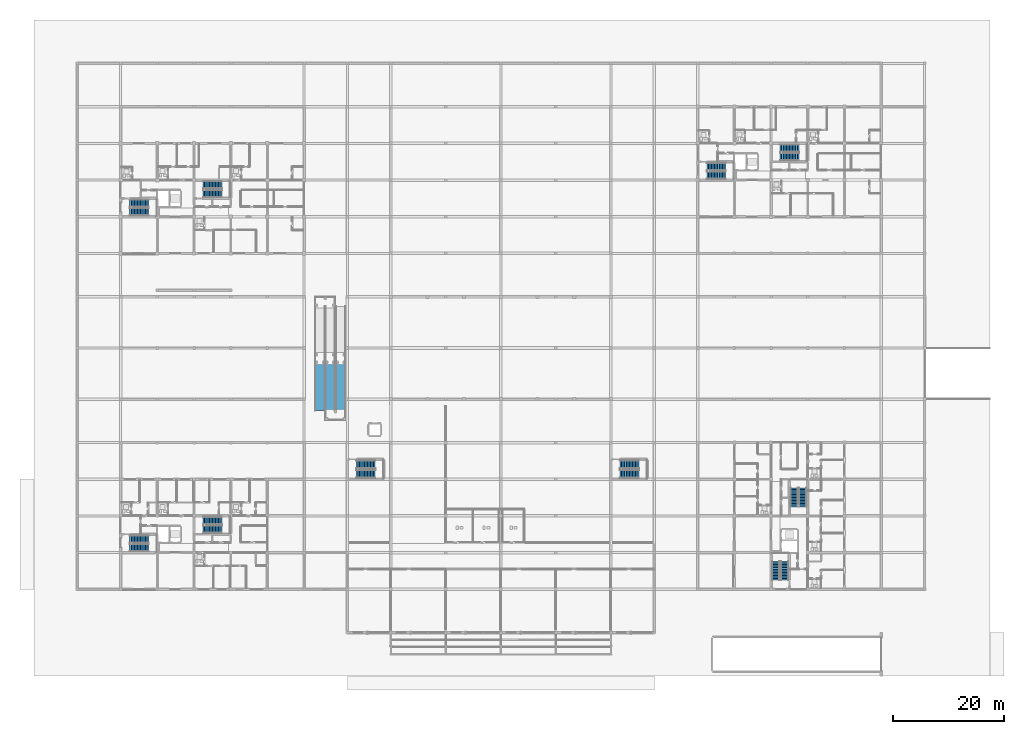
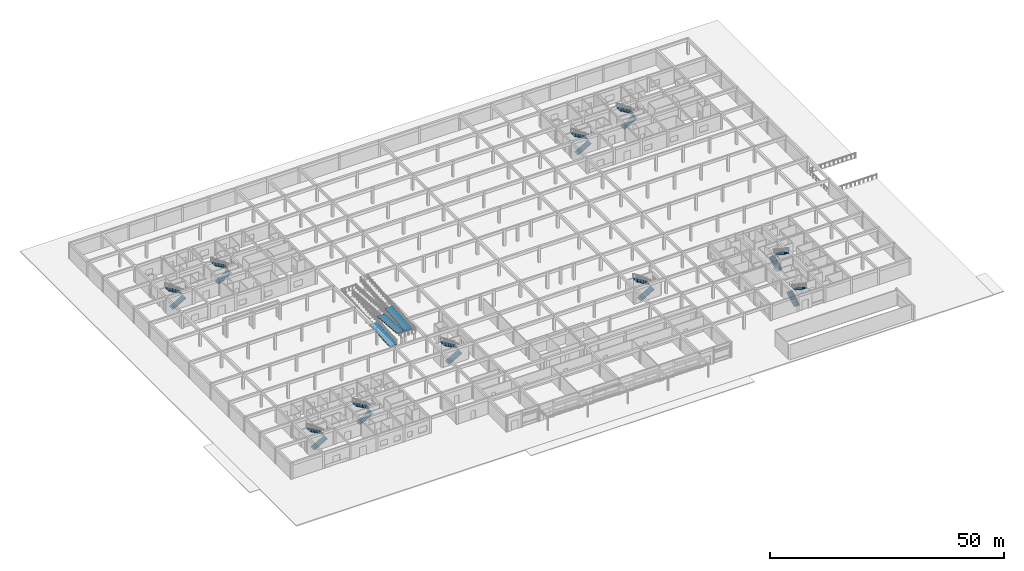
# One storey, part 63 of 75: 20 stair flights, 3 ramp flights, 11 elements without a shape of their own.
"""IFC4 building model written with IfcOpenShell, lengths in metres."""

from ifc_helpers import new_model, si_unit, direction, frame, origin, place, context, subcontext, project, spatial, polyline, outline, extrude, material, layer, layer_set, type_object, element, aggregate, save


model = new_model("IFC4")

# Units and contexts
model_context = context("Model", 3, precision=1e-05, world=origin(), true_north=direction((0.0, 1.0)))
body_context = subcontext(model_context, "Body", "Model", "MODEL_VIEW")
ifc_project = project(units=[si_unit("LENGTHUNIT", "METRE"), si_unit("AREAUNIT", "SQUARE_METRE"), si_unit("VOLUMEUNIT", "CUBIC_METRE"), si_unit("PLANEANGLEUNIT", "RADIAN"), si_unit("MASSUNIT", "GRAM", prefix="KILO")], contexts=[model_context])

# Site, building, storey
site_placement = place(None, origin())
site = spatial("IfcSite", under=ifc_project, at=site_placement, CompositionType="ELEMENT")
building_placement = place(site_placement, origin())
building = spatial("IfcBuilding", under=site, at=building_placement, Name="Kernevlak Ridge Housing Community", CompositionType="ELEMENT")
storey_placement = place(building_placement, origin())
storey = spatial("IfcBuildingStorey", under=building, at=storey_placement, Name="L00", CompositionType="ELEMENT", Elevation=0.0)

# Stair, stair flights
ifc_material = material(Name="Concrete C35/45", Category="concrete")
stair_type_1 = type_object("IfcStairType", Name="SR-02", PredefinedType="HALF_TURN_STAIR", material=ifc_material)
stair_1_placement = place(storey_placement, origin())
stair_1 = element("IfcStair", 1, at=stair_1_placement, inside=storey, type_object=stair_type_1, Name="Stair ST-A1 L00", PredefinedType="HALF_TURN_STAIR")
stair_flight_type_1 = type_object("IfcStairFlightType", Name="SF-02", PredefinedType="STRAIGHT", material=ifc_material)
stair_flight_1_placement = place(storey_placement, frame((17.239990234375, 83.4599609375, 0.0), z_axis=(0.0, 0.0, 1.0), x_axis=(1.0, 0.0, 0.0)))
stair_flight_1 = element("IfcStairFlight", 2, at=stair_flight_1_placement, type_object=stair_flight_type_1, Name="SR-02 flight 1", NumberOfRisers=13, NumberOfTreads=12, PredefinedType="STRAIGHT", RiserHeight=0.161538462, TreadLength=0.28, context=body_context, shape_type="SweptSolid", body=[
    extrude(outline(polyline([(0.0, 0.0), (0.0, 0.16162109375), (0.280029296875, 0.16162109375), (0.280029296875, 0.322998046875), (0.56005859375, 0.322998046875), (0.56005859375, 0.484619140625), (0.840087890625, 0.484619140625), (0.840087890625, 0.646240234375), (1.1201171875, 0.646240234375), (1.1201171875, 0.8076171875), (1.39990234375, 0.8076171875), (1.39990234375, 0.96923828125), (1.679931640625, 0.96923828125), (1.679931640625, 1.130859375), (1.9599609375, 1.130859375), (1.9599609375, 1.292236328125), (2.239990234375, 1.292236328125), (2.239990234375, 1.453857421875), (2.52001953125, 1.453857421875), (2.52001953125, 1.615478515625), (2.800048828125, 1.615478515625), (2.800048828125, 1.77685546875), (3.080078125, 1.77685546875), (3.080078125, 1.9384765625), (3.360107421875, 1.9384765625), (3.360107421875, 2.10009765625), (3.360107421875, 1.7421875), (0.340087890625, 0.0), (0.0, 0.0)])), frame((0.0, 0.699951171875, 0.0), z_axis=(0.0, -1.0, 0.0), x_axis=(1.0, 0.0, 0.0)), (0.0, 0.0, 1.0), 1.39990234375),
])
stair_flight_2_placement = place(storey_placement, frame((20.60009765625, 85.0400390625, 2.10009765625), z_axis=(0.0, 0.0, 1.0), x_axis=(-1.0, 0.0, 0.0)))
stair_flight_2 = element("IfcStairFlight", 3, at=stair_flight_2_placement, type_object=stair_flight_type_1, Name="SR-02 flight 2", NumberOfRisers=13, NumberOfTreads=12, PredefinedType="STRAIGHT", RiserHeight=0.161538462, TreadLength=0.28, context=body_context, shape_type="SweptSolid", body=[
    extrude(outline(polyline([(0.0, 0.0), (0.0, 0.16162109375), (0.280029296875, 0.16162109375), (0.280029296875, 0.322998046875), (0.56005859375, 0.322998046875), (0.56005859375, 0.484619140625), (0.840087890625, 0.484619140625), (0.840087890625, 0.646240234375), (1.1201171875, 0.646240234375), (1.1201171875, 0.8076171875), (1.39990234375, 0.8076171875), (1.39990234375, 0.96923828125), (1.679931640625, 0.96923828125), (1.679931640625, 1.130859375), (1.9599609375, 1.130859375), (1.9599609375, 1.292236328125), (2.239990234375, 1.292236328125), (2.239990234375, 1.453857421875), (2.52001953125, 1.453857421875), (2.52001953125, 1.615478515625), (2.800048828125, 1.615478515625), (2.800048828125, 1.77685546875), (3.080078125, 1.77685546875), (3.080078125, 1.9384765625), (3.360107421875, 1.9384765625), (3.360107421875, 2.10009765625), (3.360107421875, 1.7421875), (0.340087890625, 0.0), (0.0, 0.0)])), frame((0.0, 0.699951171875, 0.0), z_axis=(0.0, -1.0, 0.0), x_axis=(1.0, 0.0, 0.0)), (0.0, 0.0, 1.0), 1.39990234375),
])
aggregate(stair_1, [stair_flight_1, stair_flight_2])

stair_2_placement = place(storey_placement, origin())
stair_2 = element("IfcStair", 4, at=stair_2_placement, inside=storey, type_object=stair_type_1, Name="Stair ST-A2 L00", PredefinedType="HALF_TURN_STAIR")
stair_flight_3_placement = place(storey_placement, frame((30.43994140625, 86.760009765625, 0.0), z_axis=(0.0, 0.0, 1.0), x_axis=(1.0, 0.0, 0.0)))
stair_flight_3 = element("IfcStairFlight", 5, at=stair_flight_3_placement, type_object=stair_flight_type_1, Name="SR-02 flight 1", NumberOfRisers=13, NumberOfTreads=12, PredefinedType="STRAIGHT", RiserHeight=0.161538462, TreadLength=0.28, context=body_context, shape_type="SweptSolid", body=[
    extrude(outline(polyline([(0.0, 0.0), (0.0, 0.16162109375), (0.280029296875, 0.16162109375), (0.280029296875, 0.322998046875), (0.56005859375, 0.322998046875), (0.56005859375, 0.484619140625), (0.840087890625, 0.484619140625), (0.840087890625, 0.646240234375), (1.1201171875, 0.646240234375), (1.1201171875, 0.8076171875), (1.39990234375, 0.8076171875), (1.39990234375, 0.96923828125), (1.679931640625, 0.96923828125), (1.679931640625, 1.130859375), (1.9599609375, 1.130859375), (1.9599609375, 1.292236328125), (2.239990234375, 1.292236328125), (2.239990234375, 1.453857421875), (2.52001953125, 1.453857421875), (2.52001953125, 1.615478515625), (2.800048828125, 1.615478515625), (2.800048828125, 1.77685546875), (3.080078125, 1.77685546875), (3.080078125, 1.9384765625), (3.360107421875, 1.9384765625), (3.360107421875, 2.10009765625), (3.360107421875, 1.7421875), (0.340087890625, 0.0), (0.0, 0.0)])), frame((0.0, 0.699951171875, 0.0), z_axis=(0.0, -1.0, 0.0), x_axis=(1.0, 0.0, 0.0)), (0.0, 0.0, 1.0), 1.39990234375),
])
stair_flight_4_placement = place(storey_placement, frame((33.800048828125, 88.340087890625, 2.10009765625), z_axis=(0.0, 0.0, 1.0), x_axis=(-1.0, 0.0, 0.0)))
stair_flight_4 = element("IfcStairFlight", 6, at=stair_flight_4_placement, type_object=stair_flight_type_1, Name="SR-02 flight 2", NumberOfRisers=13, NumberOfTreads=12, PredefinedType="STRAIGHT", RiserHeight=0.161538462, TreadLength=0.28, context=body_context, shape_type="SweptSolid", body=[
    extrude(outline(polyline([(0.0, 0.0), (0.0, 0.16162109375), (0.280029296875, 0.16162109375), (0.280029296875, 0.322998046875), (0.56005859375, 0.322998046875), (0.56005859375, 0.484619140625), (0.840087890625, 0.484619140625), (0.840087890625, 0.646240234375), (1.1201171875, 0.646240234375), (1.1201171875, 0.8076171875), (1.39990234375, 0.8076171875), (1.39990234375, 0.96923828125), (1.679931640625, 0.96923828125), (1.679931640625, 1.130859375), (1.9599609375, 1.130859375), (1.9599609375, 1.292236328125), (2.239990234375, 1.292236328125), (2.239990234375, 1.453857421875), (2.52001953125, 1.453857421875), (2.52001953125, 1.615478515625), (2.800048828125, 1.615478515625), (2.800048828125, 1.77685546875), (3.080078125, 1.77685546875), (3.080078125, 1.9384765625), (3.360107421875, 1.9384765625), (3.360107421875, 2.10009765625), (3.360107421875, 1.7421875), (0.340087890625, 0.0), (0.0, 0.0)])), frame((0.0, 0.699951171875, 0.0), z_axis=(0.0, -1.0, 0.0), x_axis=(1.0, 0.0, 0.0)), (0.0, 0.0, 1.0), 1.39990234375),
])
aggregate(stair_2, [stair_flight_3, stair_flight_4])

stair_3_placement = place(storey_placement, origin())
stair_3 = element("IfcStair", 7, at=stair_3_placement, inside=storey, type_object=stair_type_1, Name="Stair ST-B1 L00", PredefinedType="HALF_TURN_STAIR")
stair_flight_5_placement = place(storey_placement, frame((121.0400390625, 90.06005859375, 0.0), z_axis=(0.0, 0.0, 1.0), x_axis=(1.0, 0.0, 0.0)))
stair_flight_5 = element("IfcStairFlight", 8, at=stair_flight_5_placement, type_object=stair_flight_type_1, Name="SR-02 flight 1", NumberOfRisers=13, NumberOfTreads=12, PredefinedType="STRAIGHT", RiserHeight=0.161538462, TreadLength=0.28, context=body_context, shape_type="SweptSolid", body=[
    extrude(outline(polyline([(0.0, 0.0), (0.0, 0.16162109375), (0.280029296875, 0.16162109375), (0.280029296875, 0.322998046875), (0.56005859375, 0.322998046875), (0.56005859375, 0.484619140625), (0.840087890625, 0.484619140625), (0.840087890625, 0.646240234375), (1.1201171875, 0.646240234375), (1.1201171875, 0.8076171875), (1.39990234375, 0.8076171875), (1.39990234375, 0.96923828125), (1.679931640625, 0.96923828125), (1.679931640625, 1.130859375), (1.9599609375, 1.130859375), (1.9599609375, 1.292236328125), (2.239990234375, 1.292236328125), (2.239990234375, 1.453857421875), (2.52001953125, 1.453857421875), (2.52001953125, 1.615478515625), (2.800048828125, 1.615478515625), (2.800048828125, 1.77685546875), (3.080078125, 1.77685546875), (3.080078125, 1.9384765625), (3.360107421875, 1.9384765625), (3.360107421875, 2.10009765625), (3.360107421875, 1.7421875), (0.340087890625, 0.0), (0.0, 0.0)])), frame((0.0, 0.699951171875, 0.0), z_axis=(0.0, -1.0, 0.0), x_axis=(1.0, 0.0, 0.0)), (0.0, 0.0, 1.0), 1.39990234375),
])
stair_flight_6_placement = place(storey_placement, frame((124.39990234375, 91.639892578125, 2.10009765625), z_axis=(0.0, 0.0, 1.0), x_axis=(-1.0, 0.0, 0.0)))
stair_flight_6 = element("IfcStairFlight", 9, at=stair_flight_6_placement, type_object=stair_flight_type_1, Name="SR-02 flight 2", NumberOfRisers=13, NumberOfTreads=12, PredefinedType="STRAIGHT", RiserHeight=0.161538462, TreadLength=0.28, context=body_context, shape_type="SweptSolid", body=[
    extrude(outline(polyline([(0.0, 0.0), (0.0, 0.16162109375), (0.280029296875, 0.16162109375), (0.280029296875, 0.322998046875), (0.56005859375, 0.322998046875), (0.56005859375, 0.484619140625), (0.840087890625, 0.484619140625), (0.840087890625, 0.646240234375), (1.1201171875, 0.646240234375), (1.1201171875, 0.8076171875), (1.39990234375, 0.8076171875), (1.39990234375, 0.96923828125), (1.679931640625, 0.96923828125), (1.679931640625, 1.130859375), (1.9599609375, 1.130859375), (1.9599609375, 1.292236328125), (2.239990234375, 1.292236328125), (2.239990234375, 1.453857421875), (2.52001953125, 1.453857421875), (2.52001953125, 1.615478515625), (2.800048828125, 1.615478515625), (2.800048828125, 1.77685546875), (3.080078125, 1.77685546875), (3.080078125, 1.9384765625), (3.360107421875, 1.9384765625), (3.360107421875, 2.10009765625), (3.360107421875, 1.7421875), (0.340087890625, 0.0), (0.0, 0.0)])), frame((0.0, 0.699951171875, 0.0), z_axis=(0.0, -1.0, 0.0), x_axis=(1.0, 0.0, 0.0)), (0.0, 0.0, 1.0), 1.39990234375),
])
aggregate(stair_3, [stair_flight_5, stair_flight_6])

stair_4_placement = place(storey_placement, origin())
stair_4 = element("IfcStair", 10, at=stair_4_placement, inside=storey, type_object=stair_type_1, Name="Stair ST-B2 L00", PredefinedType="HALF_TURN_STAIR")
stair_flight_7_placement = place(storey_placement, frame((134.239990234375, 93.360107421875, 0.0), z_axis=(0.0, 0.0, 1.0), x_axis=(1.0, 0.0, 0.0)))
stair_flight_7 = element("IfcStairFlight", 11, at=stair_flight_7_placement, type_object=stair_flight_type_1, Name="SR-02 flight 1", NumberOfRisers=13, NumberOfTreads=12, PredefinedType="STRAIGHT", RiserHeight=0.161538462, TreadLength=0.28, context=body_context, shape_type="SweptSolid", body=[
    extrude(outline(polyline([(0.0, 0.0), (0.0, 0.16162109375), (0.280029296875, 0.16162109375), (0.280029296875, 0.322998046875), (0.56005859375, 0.322998046875), (0.56005859375, 0.484619140625), (0.840087890625, 0.484619140625), (0.840087890625, 0.646240234375), (1.1201171875, 0.646240234375), (1.1201171875, 0.8076171875), (1.39990234375, 0.8076171875), (1.39990234375, 0.96923828125), (1.679931640625, 0.96923828125), (1.679931640625, 1.130859375), (1.9599609375, 1.130859375), (1.9599609375, 1.292236328125), (2.239990234375, 1.292236328125), (2.239990234375, 1.453857421875), (2.52001953125, 1.453857421875), (2.52001953125, 1.615478515625), (2.800048828125, 1.615478515625), (2.800048828125, 1.77685546875), (3.080078125, 1.77685546875), (3.080078125, 1.9384765625), (3.360107421875, 1.9384765625), (3.360107421875, 2.10009765625), (3.360107421875, 1.7421875), (0.340087890625, 0.0), (0.0, 0.0)])), frame((0.0, 0.699951171875, 0.0), z_axis=(0.0, -1.0, 0.0), x_axis=(1.0, 0.0, 0.0)), (0.0, 0.0, 1.0), 1.39990234375),
])
stair_flight_8_placement = place(storey_placement, frame((137.60009765625, 94.93994140625, 2.10009765625), z_axis=(0.0, 0.0, 1.0), x_axis=(-1.0, 0.0, 0.0)))
stair_flight_8 = element("IfcStairFlight", 12, at=stair_flight_8_placement, type_object=stair_flight_type_1, Name="SR-02 flight 2", NumberOfRisers=13, NumberOfTreads=12, PredefinedType="STRAIGHT", RiserHeight=0.161538462, TreadLength=0.28, context=body_context, shape_type="SweptSolid", body=[
    extrude(outline(polyline([(0.0, 0.0), (0.0, 0.16162109375), (0.280029296875, 0.16162109375), (0.280029296875, 0.322998046875), (0.56005859375, 0.322998046875), (0.56005859375, 0.484619140625), (0.840087890625, 0.484619140625), (0.840087890625, 0.646240234375), (1.1201171875, 0.646240234375), (1.1201171875, 0.8076171875), (1.39990234375, 0.8076171875), (1.39990234375, 0.96923828125), (1.679931640625, 0.96923828125), (1.679931640625, 1.130859375), (1.9599609375, 1.130859375), (1.9599609375, 1.292236328125), (2.239990234375, 1.292236328125), (2.239990234375, 1.453857421875), (2.52001953125, 1.453857421875), (2.52001953125, 1.615478515625), (2.800048828125, 1.615478515625), (2.800048828125, 1.77685546875), (3.080078125, 1.77685546875), (3.080078125, 1.9384765625), (3.360107421875, 1.9384765625), (3.360107421875, 2.10009765625), (3.360107421875, 1.7421875), (0.340087890625, 0.0), (0.0, 0.0)])), frame((0.0, 0.699951171875, 0.0), z_axis=(0.0, -1.0, 0.0), x_axis=(1.0, 0.0, 0.0)), (0.0, 0.0, 1.0), 1.39990234375),
])
aggregate(stair_4, [stair_flight_7, stair_flight_8])

stair_5_placement = place(storey_placement, origin())
stair_5 = element("IfcStair", 13, at=stair_5_placement, inside=storey, type_object=stair_type_1, Name="Stair ST-C1 L00", PredefinedType="HALF_TURN_STAIR")
stair_flight_9_placement = place(storey_placement, frame((133.4599609375, 17.239990234375, 0.0), z_axis=(0.0, 0.0, 1.0), x_axis=(0.0, 1.0, 0.0)))
stair_flight_9 = element("IfcStairFlight", 14, at=stair_flight_9_placement, type_object=stair_flight_type_1, Name="SR-02 flight 1", NumberOfRisers=13, NumberOfTreads=12, PredefinedType="STRAIGHT", RiserHeight=0.161538462, TreadLength=0.28, context=body_context, shape_type="SweptSolid", body=[
    extrude(outline(polyline([(0.0, 0.0), (0.0, 0.16162109375), (0.280029296875, 0.16162109375), (0.280029296875, 0.322998046875), (0.56005859375, 0.322998046875), (0.56005859375, 0.484619140625), (0.840087890625, 0.484619140625), (0.840087890625, 0.646240234375), (1.1201171875, 0.646240234375), (1.1201171875, 0.8076171875), (1.39990234375, 0.8076171875), (1.39990234375, 0.96923828125), (1.679931640625, 0.96923828125), (1.679931640625, 1.130859375), (1.9599609375, 1.130859375), (1.9599609375, 1.292236328125), (2.239990234375, 1.292236328125), (2.239990234375, 1.453857421875), (2.52001953125, 1.453857421875), (2.52001953125, 1.615478515625), (2.800048828125, 1.615478515625), (2.800048828125, 1.77685546875), (3.080078125, 1.77685546875), (3.080078125, 1.9384765625), (3.360107421875, 1.9384765625), (3.360107421875, 2.10009765625), (3.360107421875, 1.7421875), (0.340087890625, 0.0), (0.0, 0.0)])), frame((0.0, 0.699951171875, 0.0), z_axis=(0.0, -1.0, 0.0), x_axis=(1.0, 0.0, 0.0)), (0.0, 0.0, 1.0), 1.39990234375),
])
stair_flight_10_placement = place(storey_placement, frame((135.0400390625, 20.60009765625, 2.10009765625), z_axis=(0.0, 0.0, 1.0), x_axis=(0.0, -1.0, 0.0)))
stair_flight_10 = element("IfcStairFlight", 15, at=stair_flight_10_placement, type_object=stair_flight_type_1, Name="SR-02 flight 2", NumberOfRisers=13, NumberOfTreads=12, PredefinedType="STRAIGHT", RiserHeight=0.161538462, TreadLength=0.28, context=body_context, shape_type="SweptSolid", body=[
    extrude(outline(polyline([(0.0, 0.0), (0.0, 0.16162109375), (0.280029296875, 0.16162109375), (0.280029296875, 0.322998046875), (0.56005859375, 0.322998046875), (0.56005859375, 0.484619140625), (0.840087890625, 0.484619140625), (0.840087890625, 0.646240234375), (1.1201171875, 0.646240234375), (1.1201171875, 0.8076171875), (1.39990234375, 0.8076171875), (1.39990234375, 0.96923828125), (1.679931640625, 0.96923828125), (1.679931640625, 1.130859375), (1.9599609375, 1.130859375), (1.9599609375, 1.292236328125), (2.239990234375, 1.292236328125), (2.239990234375, 1.453857421875), (2.52001953125, 1.453857421875), (2.52001953125, 1.615478515625), (2.800048828125, 1.615478515625), (2.800048828125, 1.77685546875), (3.080078125, 1.77685546875), (3.080078125, 1.9384765625), (3.360107421875, 1.9384765625), (3.360107421875, 2.10009765625), (3.360107421875, 1.7421875), (0.340087890625, 0.0), (0.0, 0.0)])), frame((0.0, 0.699951171875, 0.0), z_axis=(0.0, -1.0, 0.0), x_axis=(1.0, 0.0, 0.0)), (0.0, 0.0, 1.0), 1.39990234375),
])
aggregate(stair_5, [stair_flight_9, stair_flight_10])

stair_6_placement = place(storey_placement, origin())
stair_6 = element("IfcStair", 16, at=stair_6_placement, inside=storey, type_object=stair_type_1, Name="Stair ST-C2 L00", PredefinedType="HALF_TURN_STAIR")
stair_flight_11_placement = place(storey_placement, frame((136.760009765625, 30.43994140625, 0.0), z_axis=(0.0, 0.0, 1.0), x_axis=(0.0, 1.0, 0.0)))
stair_flight_11 = element("IfcStairFlight", 17, at=stair_flight_11_placement, type_object=stair_flight_type_1, Name="SR-02 flight 1", NumberOfRisers=13, NumberOfTreads=12, PredefinedType="STRAIGHT", RiserHeight=0.161538462, TreadLength=0.28, context=body_context, shape_type="SweptSolid", body=[
    extrude(outline(polyline([(0.0, 0.0), (0.0, 0.16162109375), (0.280029296875, 0.16162109375), (0.280029296875, 0.322998046875), (0.56005859375, 0.322998046875), (0.56005859375, 0.484619140625), (0.840087890625, 0.484619140625), (0.840087890625, 0.646240234375), (1.1201171875, 0.646240234375), (1.1201171875, 0.8076171875), (1.39990234375, 0.8076171875), (1.39990234375, 0.96923828125), (1.679931640625, 0.96923828125), (1.679931640625, 1.130859375), (1.9599609375, 1.130859375), (1.9599609375, 1.292236328125), (2.239990234375, 1.292236328125), (2.239990234375, 1.453857421875), (2.52001953125, 1.453857421875), (2.52001953125, 1.615478515625), (2.800048828125, 1.615478515625), (2.800048828125, 1.77685546875), (3.080078125, 1.77685546875), (3.080078125, 1.9384765625), (3.360107421875, 1.9384765625), (3.360107421875, 2.10009765625), (3.360107421875, 1.7421875), (0.340087890625, 0.0), (0.0, 0.0)])), frame((0.0, 0.699951171875, 0.0), z_axis=(0.0, -1.0, 0.0), x_axis=(1.0, 0.0, 0.0)), (0.0, 0.0, 1.0), 1.39990234375),
])
stair_flight_12_placement = place(storey_placement, frame((138.340087890625, 33.800048828125, 2.10009765625), z_axis=(0.0, 0.0, 1.0), x_axis=(0.0, -1.0, 0.0)))
stair_flight_12 = element("IfcStairFlight", 18, at=stair_flight_12_placement, type_object=stair_flight_type_1, Name="SR-02 flight 2", NumberOfRisers=13, NumberOfTreads=12, PredefinedType="STRAIGHT", RiserHeight=0.161538462, TreadLength=0.28, context=body_context, shape_type="SweptSolid", body=[
    extrude(outline(polyline([(0.0, 0.0), (0.0, 0.16162109375), (0.280029296875, 0.16162109375), (0.280029296875, 0.322998046875), (0.56005859375, 0.322998046875), (0.56005859375, 0.484619140625), (0.840087890625, 0.484619140625), (0.840087890625, 0.646240234375), (1.1201171875, 0.646240234375), (1.1201171875, 0.8076171875), (1.39990234375, 0.8076171875), (1.39990234375, 0.96923828125), (1.679931640625, 0.96923828125), (1.679931640625, 1.130859375), (1.9599609375, 1.130859375), (1.9599609375, 1.292236328125), (2.239990234375, 1.292236328125), (2.239990234375, 1.453857421875), (2.52001953125, 1.453857421875), (2.52001953125, 1.615478515625), (2.800048828125, 1.615478515625), (2.800048828125, 1.77685546875), (3.080078125, 1.77685546875), (3.080078125, 1.9384765625), (3.360107421875, 1.9384765625), (3.360107421875, 2.10009765625), (3.360107421875, 1.7421875), (0.340087890625, 0.0), (0.0, 0.0)])), frame((0.0, 0.699951171875, 0.0), z_axis=(0.0, -1.0, 0.0), x_axis=(1.0, 0.0, 0.0)), (0.0, 0.0, 1.0), 1.39990234375),
])
aggregate(stair_6, [stair_flight_11, stair_flight_12])

stair_7_placement = place(storey_placement, origin())
stair_7 = element("IfcStair", 19, at=stair_7_placement, inside=storey, type_object=stair_type_1, Name="Stair ST-D1 L00", PredefinedType="HALF_TURN_STAIR")
stair_flight_13_placement = place(storey_placement, frame((17.239990234375, 23.06005859375, 0.0), z_axis=(0.0, 0.0, 1.0), x_axis=(1.0, 0.0, 0.0)))
stair_flight_13 = element("IfcStairFlight", 20, at=stair_flight_13_placement, type_object=stair_flight_type_1, Name="SR-02 flight 1", NumberOfRisers=13, NumberOfTreads=12, PredefinedType="STRAIGHT", RiserHeight=0.161538462, TreadLength=0.28, context=body_context, shape_type="SweptSolid", body=[
    extrude(outline(polyline([(0.0, 0.0), (0.0, 0.16162109375), (0.280029296875, 0.16162109375), (0.280029296875, 0.322998046875), (0.56005859375, 0.322998046875), (0.56005859375, 0.484619140625), (0.840087890625, 0.484619140625), (0.840087890625, 0.646240234375), (1.1201171875, 0.646240234375), (1.1201171875, 0.8076171875), (1.39990234375, 0.8076171875), (1.39990234375, 0.96923828125), (1.679931640625, 0.96923828125), (1.679931640625, 1.130859375), (1.9599609375, 1.130859375), (1.9599609375, 1.292236328125), (2.239990234375, 1.292236328125), (2.239990234375, 1.453857421875), (2.52001953125, 1.453857421875), (2.52001953125, 1.615478515625), (2.800048828125, 1.615478515625), (2.800048828125, 1.77685546875), (3.080078125, 1.77685546875), (3.080078125, 1.9384765625), (3.360107421875, 1.9384765625), (3.360107421875, 2.10009765625), (3.360107421875, 1.7421875), (0.340087890625, 0.0), (0.0, 0.0)])), frame((0.0, 0.699951171875, 0.0), z_axis=(0.0, -1.0, 0.0), x_axis=(1.0, 0.0, 0.0)), (0.0, 0.0, 1.0), 1.39990234375),
])
stair_flight_14_placement = place(storey_placement, frame((20.60009765625, 24.639892578125, 2.10009765625), z_axis=(0.0, 0.0, 1.0), x_axis=(-1.0, 0.0, 0.0)))
stair_flight_14 = element("IfcStairFlight", 21, at=stair_flight_14_placement, type_object=stair_flight_type_1, Name="SR-02 flight 2", NumberOfRisers=13, NumberOfTreads=12, PredefinedType="STRAIGHT", RiserHeight=0.161538462, TreadLength=0.28, context=body_context, shape_type="SweptSolid", body=[
    extrude(outline(polyline([(0.0, 0.0), (0.0, 0.16162109375), (0.280029296875, 0.16162109375), (0.280029296875, 0.322998046875), (0.56005859375, 0.322998046875), (0.56005859375, 0.484619140625), (0.840087890625, 0.484619140625), (0.840087890625, 0.646240234375), (1.1201171875, 0.646240234375), (1.1201171875, 0.8076171875), (1.39990234375, 0.8076171875), (1.39990234375, 0.96923828125), (1.679931640625, 0.96923828125), (1.679931640625, 1.130859375), (1.9599609375, 1.130859375), (1.9599609375, 1.292236328125), (2.239990234375, 1.292236328125), (2.239990234375, 1.453857421875), (2.52001953125, 1.453857421875), (2.52001953125, 1.615478515625), (2.800048828125, 1.615478515625), (2.800048828125, 1.77685546875), (3.080078125, 1.77685546875), (3.080078125, 1.9384765625), (3.360107421875, 1.9384765625), (3.360107421875, 2.10009765625), (3.360107421875, 1.7421875), (0.340087890625, 0.0), (0.0, 0.0)])), frame((0.0, 0.699951171875, 0.0), z_axis=(0.0, -1.0, 0.0), x_axis=(1.0, 0.0, 0.0)), (0.0, 0.0, 1.0), 1.39990234375),
])
aggregate(stair_7, [stair_flight_13, stair_flight_14])

stair_8_placement = place(storey_placement, origin())
stair_8 = element("IfcStair", 22, at=stair_8_placement, inside=storey, type_object=stair_type_1, Name="Stair ST-D2 L00", PredefinedType="HALF_TURN_STAIR")
stair_flight_15_placement = place(storey_placement, frame((30.43994140625, 26.360107421875, 0.0), z_axis=(0.0, 0.0, 1.0), x_axis=(1.0, 0.0, 0.0)))
stair_flight_15 = element("IfcStairFlight", 23, at=stair_flight_15_placement, type_object=stair_flight_type_1, Name="SR-02 flight 1", NumberOfRisers=13, NumberOfTreads=12, PredefinedType="STRAIGHT", RiserHeight=0.161538462, TreadLength=0.28, context=body_context, shape_type="SweptSolid", body=[
    extrude(outline(polyline([(0.0, 0.0), (0.0, 0.16162109375), (0.280029296875, 0.16162109375), (0.280029296875, 0.322998046875), (0.56005859375, 0.322998046875), (0.56005859375, 0.484619140625), (0.840087890625, 0.484619140625), (0.840087890625, 0.646240234375), (1.1201171875, 0.646240234375), (1.1201171875, 0.8076171875), (1.39990234375, 0.8076171875), (1.39990234375, 0.96923828125), (1.679931640625, 0.96923828125), (1.679931640625, 1.130859375), (1.9599609375, 1.130859375), (1.9599609375, 1.292236328125), (2.239990234375, 1.292236328125), (2.239990234375, 1.453857421875), (2.52001953125, 1.453857421875), (2.52001953125, 1.615478515625), (2.800048828125, 1.615478515625), (2.800048828125, 1.77685546875), (3.080078125, 1.77685546875), (3.080078125, 1.9384765625), (3.360107421875, 1.9384765625), (3.360107421875, 2.10009765625), (3.360107421875, 1.7421875), (0.340087890625, 0.0), (0.0, 0.0)])), frame((0.0, 0.699951171875, 0.0), z_axis=(0.0, -1.0, 0.0), x_axis=(1.0, 0.0, 0.0)), (0.0, 0.0, 1.0), 1.39990234375),
])
stair_flight_16_placement = place(storey_placement, frame((33.800048828125, 27.93994140625, 2.10009765625), z_axis=(0.0, 0.0, 1.0), x_axis=(-1.0, 0.0, 0.0)))
stair_flight_16 = element("IfcStairFlight", 24, at=stair_flight_16_placement, type_object=stair_flight_type_1, Name="SR-02 flight 2", NumberOfRisers=13, NumberOfTreads=12, PredefinedType="STRAIGHT", RiserHeight=0.161538462, TreadLength=0.28, context=body_context, shape_type="SweptSolid", body=[
    extrude(outline(polyline([(0.0, 0.0), (0.0, 0.16162109375), (0.280029296875, 0.16162109375), (0.280029296875, 0.322998046875), (0.56005859375, 0.322998046875), (0.56005859375, 0.484619140625), (0.840087890625, 0.484619140625), (0.840087890625, 0.646240234375), (1.1201171875, 0.646240234375), (1.1201171875, 0.8076171875), (1.39990234375, 0.8076171875), (1.39990234375, 0.96923828125), (1.679931640625, 0.96923828125), (1.679931640625, 1.130859375), (1.9599609375, 1.130859375), (1.9599609375, 1.292236328125), (2.239990234375, 1.292236328125), (2.239990234375, 1.453857421875), (2.52001953125, 1.453857421875), (2.52001953125, 1.615478515625), (2.800048828125, 1.615478515625), (2.800048828125, 1.77685546875), (3.080078125, 1.77685546875), (3.080078125, 1.9384765625), (3.360107421875, 1.9384765625), (3.360107421875, 2.10009765625), (3.360107421875, 1.7421875), (0.340087890625, 0.0), (0.0, 0.0)])), frame((0.0, 0.699951171875, 0.0), z_axis=(0.0, -1.0, 0.0), x_axis=(1.0, 0.0, 0.0)), (0.0, 0.0, 1.0), 1.39990234375),
])
aggregate(stair_8, [stair_flight_15, stair_flight_16])

stair_type_2 = type_object("IfcStairType", Name="SR-04", PredefinedType="HALF_TURN_STAIR", material=ifc_material)
stair_9_placement = place(storey_placement, origin())
stair_9 = element("IfcStair", 25, at=stair_9_placement, inside=storey, type_object=stair_type_2, Name="Stair ST-P1 L00", PredefinedType="HALF_TURN_STAIR")
stair_flight_type_2 = type_object("IfcStairFlightType", Name="SF-04", PredefinedType="STRAIGHT", material=ifc_material)
stair_flight_17_placement = place(storey_placement, frame((58.0400390625, 36.31005859375, 0.0), z_axis=(0.0, 0.0, 1.0), x_axis=(1.0, 0.0, 0.0)))
stair_flight_17 = element("IfcStairFlight", 26, at=stair_flight_17_placement, type_object=stair_flight_type_2, Name="SR-04 flight 1", NumberOfRisers=13, NumberOfTreads=12, PredefinedType="STRAIGHT", RiserHeight=0.161538462, TreadLength=0.28, context=body_context, shape_type="SweptSolid", body=[
    extrude(outline(polyline([(0.0, 0.0), (0.0, 0.16162109375), (0.280029296875, 0.16162109375), (0.280029296875, 0.322998046875), (0.56005859375, 0.322998046875), (0.56005859375, 0.484619140625), (0.840087890625, 0.484619140625), (0.840087890625, 0.646240234375), (1.1201171875, 0.646240234375), (1.1201171875, 0.8076171875), (1.39990234375, 0.8076171875), (1.39990234375, 0.96923828125), (1.679931640625, 0.96923828125), (1.679931640625, 1.130859375), (1.9599609375, 1.130859375), (1.9599609375, 1.292236328125), (2.239990234375, 1.292236328125), (2.239990234375, 1.453857421875), (2.52001953125, 1.453857421875), (2.52001953125, 1.615478515625), (2.800048828125, 1.615478515625), (2.800048828125, 1.77685546875), (3.080078125, 1.77685546875), (3.080078125, 1.9384765625), (3.360107421875, 1.9384765625), (3.360107421875, 2.10009765625), (3.360107421875, 1.7421875), (0.340087890625, 0.0), (0.0, 0.0)])), frame((0.0, 0.75, 0.0), z_axis=(0.0, -1.0, 0.0), x_axis=(1.0, 0.0, 0.0)), (0.0, 0.0, 1.0), 1.5),
])
stair_flight_18_placement = place(storey_placement, frame((61.39990234375, 38.090087890625, 2.10009765625), z_axis=(0.0, 0.0, 1.0), x_axis=(-1.0, 0.0, 0.0)))
stair_flight_18 = element("IfcStairFlight", 27, at=stair_flight_18_placement, type_object=stair_flight_type_2, Name="SR-04 flight 2", NumberOfRisers=13, NumberOfTreads=12, PredefinedType="STRAIGHT", RiserHeight=0.161538462, TreadLength=0.28, context=body_context, shape_type="SweptSolid", body=[
    extrude(outline(polyline([(0.0, 0.0), (0.0, 0.16162109375), (0.280029296875, 0.16162109375), (0.280029296875, 0.322998046875), (0.56005859375, 0.322998046875), (0.56005859375, 0.484619140625), (0.840087890625, 0.484619140625), (0.840087890625, 0.646240234375), (1.1201171875, 0.646240234375), (1.1201171875, 0.8076171875), (1.39990234375, 0.8076171875), (1.39990234375, 0.96923828125), (1.679931640625, 0.96923828125), (1.679931640625, 1.130859375), (1.9599609375, 1.130859375), (1.9599609375, 1.292236328125), (2.239990234375, 1.292236328125), (2.239990234375, 1.453857421875), (2.52001953125, 1.453857421875), (2.52001953125, 1.615478515625), (2.800048828125, 1.615478515625), (2.800048828125, 1.77685546875), (3.080078125, 1.77685546875), (3.080078125, 1.9384765625), (3.360107421875, 1.9384765625), (3.360107421875, 2.10009765625), (3.360107421875, 1.7421875), (0.340087890625, 0.0), (0.0, 0.0)])), frame((0.0, 0.75, 0.0), z_axis=(0.0, -1.0, 0.0), x_axis=(1.0, 0.0, 0.0)), (0.0, 0.0, 1.0), 1.5),
])
aggregate(stair_9, [stair_flight_17, stair_flight_18])

stair_10_placement = place(storey_placement, origin())
stair_10 = element("IfcStair", 28, at=stair_10_placement, inside=storey, type_object=stair_type_2, Name="Stair ST-P2 L00", PredefinedType="HALF_TURN_STAIR")
stair_flight_19_placement = place(storey_placement, frame((105.43994140625, 36.31005859375, 0.0), z_axis=(0.0, 0.0, 1.0), x_axis=(1.0, 0.0, 0.0)))
stair_flight_19 = element("IfcStairFlight", 29, at=stair_flight_19_placement, type_object=stair_flight_type_2, Name="SR-04 flight 1", NumberOfRisers=13, NumberOfTreads=12, PredefinedType="STRAIGHT", RiserHeight=0.161538462, TreadLength=0.28, context=body_context, shape_type="SweptSolid", body=[
    extrude(outline(polyline([(0.0, 0.0), (0.0, 0.16162109375), (0.280029296875, 0.16162109375), (0.280029296875, 0.322998046875), (0.56005859375, 0.322998046875), (0.56005859375, 0.484619140625), (0.840087890625, 0.484619140625), (0.840087890625, 0.646240234375), (1.1201171875, 0.646240234375), (1.1201171875, 0.8076171875), (1.39990234375, 0.8076171875), (1.39990234375, 0.96923828125), (1.679931640625, 0.96923828125), (1.679931640625, 1.130859375), (1.9599609375, 1.130859375), (1.9599609375, 1.292236328125), (2.239990234375, 1.292236328125), (2.239990234375, 1.453857421875), (2.52001953125, 1.453857421875), (2.52001953125, 1.615478515625), (2.800048828125, 1.615478515625), (2.800048828125, 1.77685546875), (3.080078125, 1.77685546875), (3.080078125, 1.9384765625), (3.360107421875, 1.9384765625), (3.360107421875, 2.10009765625), (3.360107421875, 1.7421875), (0.340087890625, 0.0), (0.0, 0.0)])), frame((0.0, 0.75, 0.0), z_axis=(0.0, -1.0, 0.0), x_axis=(1.0, 0.0, 0.0)), (0.0, 0.0, 1.0), 1.5),
])
stair_flight_20_placement = place(storey_placement, frame((108.800048828125, 38.090087890625, 2.10009765625), z_axis=(0.0, 0.0, 1.0), x_axis=(-1.0, 0.0, 0.0)))
stair_flight_20 = element("IfcStairFlight", 30, at=stair_flight_20_placement, type_object=stair_flight_type_2, Name="SR-04 flight 2", NumberOfRisers=13, NumberOfTreads=12, PredefinedType="STRAIGHT", RiserHeight=0.161538462, TreadLength=0.28, context=body_context, shape_type="SweptSolid", body=[
    extrude(outline(polyline([(0.0, 0.0), (0.0, 0.16162109375), (0.280029296875, 0.16162109375), (0.280029296875, 0.322998046875), (0.56005859375, 0.322998046875), (0.56005859375, 0.484619140625), (0.840087890625, 0.484619140625), (0.840087890625, 0.646240234375), (1.1201171875, 0.646240234375), (1.1201171875, 0.8076171875), (1.39990234375, 0.8076171875), (1.39990234375, 0.96923828125), (1.679931640625, 0.96923828125), (1.679931640625, 1.130859375), (1.9599609375, 1.130859375), (1.9599609375, 1.292236328125), (2.239990234375, 1.292236328125), (2.239990234375, 1.453857421875), (2.52001953125, 1.453857421875), (2.52001953125, 1.615478515625), (2.800048828125, 1.615478515625), (2.800048828125, 1.77685546875), (3.080078125, 1.77685546875), (3.080078125, 1.9384765625), (3.360107421875, 1.9384765625), (3.360107421875, 2.10009765625), (3.360107421875, 1.7421875), (0.340087890625, 0.0), (0.0, 0.0)])), frame((0.0, 0.75, 0.0), z_axis=(0.0, -1.0, 0.0), x_axis=(1.0, 0.0, 0.0)), (0.0, 0.0, 1.0), 1.5),
])
aggregate(stair_10, [stair_flight_19, stair_flight_20])

# Ramp, ramp flights
ramp_type = type_object("IfcRampType", Name="RM-01", PredefinedType="HALF_TURN_RAMP", material=ifc_material)
ramp_placement = place(storey_placement, origin())
ramp = element("IfcRamp", 31, at=ramp_placement, inside=storey, type_object=ramp_type, Name="Step-free civic plaza accessible ramp RM-01", PredefinedType="HALF_TURN_RAMP")
ifc_layer = layer(ifc_material, 0.219970703125, Name="Concrete C35/45")
ifc_layer_set = layer_set([ifc_layer], Name="Concrete C35/45")
ramp_flight_type = type_object("IfcRampFlightType", Name="RF-01", PredefinedType="STRAIGHT", material=ifc_layer_set)
ramp_flight_1_placement = place(storey_placement, frame((50.550048828125, 47.739990234375, 0.0), z_axis=(0.0, -0.081877863413, 0.996642370905), x_axis=(1.0, 0.0, 0.0)))
ramp_flight_1 = element("IfcRampFlight", 32, at=ramp_flight_1_placement, type_object=ramp_flight_type, Name="Accessible ramp flight 1", PredefinedType="STRAIGHT", context=body_context, shape_type="SweptSolid", body=[
    extrude(outline(polyline([(0.0, 0.0), (1.800048828125, 0.0), (1.800048828125, 8.548722972227528), (0.0, 8.548722972227528), (0.0, 0.0)])), origin(), (0.0, 0.0, -1.0), 0.219970703125),
])
ramp_flight_2_placement = place(storey_placement, frame((52.419921875, 47.739990234375, 2.800048828125), z_axis=(0.0, 0.081877863413, 0.996642370905), x_axis=(1.0, 0.0, 0.0)))
ramp_flight_2 = element("IfcRampFlight", 33, at=ramp_flight_2_placement, type_object=ramp_flight_type, Name="Accessible ramp flight 4", PredefinedType="STRAIGHT", context=body_context, shape_type="SweptSolid", body=[
    extrude(outline(polyline([(0.0, 0.0), (1.800048828125, 0.0), (1.800048828125, 8.548722972227528), (0.0, 8.548722972227528), (0.0, 0.0)])), origin(), (0.0, 0.0, -1.0), 0.219970703125),
])
ramp_flight_3_placement = place(storey_placement, frame((54.300048828125, 47.739990234375, 2.800048828125), z_axis=(0.0, -0.081877863413, 0.996642370905), x_axis=(1.0, 0.0, 0.0)))
ramp_flight_3 = element("IfcRampFlight", 34, at=ramp_flight_3_placement, type_object=ramp_flight_type, Name="Accessible ramp flight 5", PredefinedType="STRAIGHT", context=body_context, shape_type="SweptSolid", body=[
    extrude(outline(polyline([(0.0, 0.0), (1.800048828125, 0.0), (1.800048828125, 8.548722972227528), (0.0, 8.548722972227528), (0.0, 0.0)])), origin(), (0.0, 0.0, -1.0), 0.219970703125),
])
aggregate(ramp, [ramp_flight_1, ramp_flight_2, ramp_flight_3])

save(model, "model.ifc")
